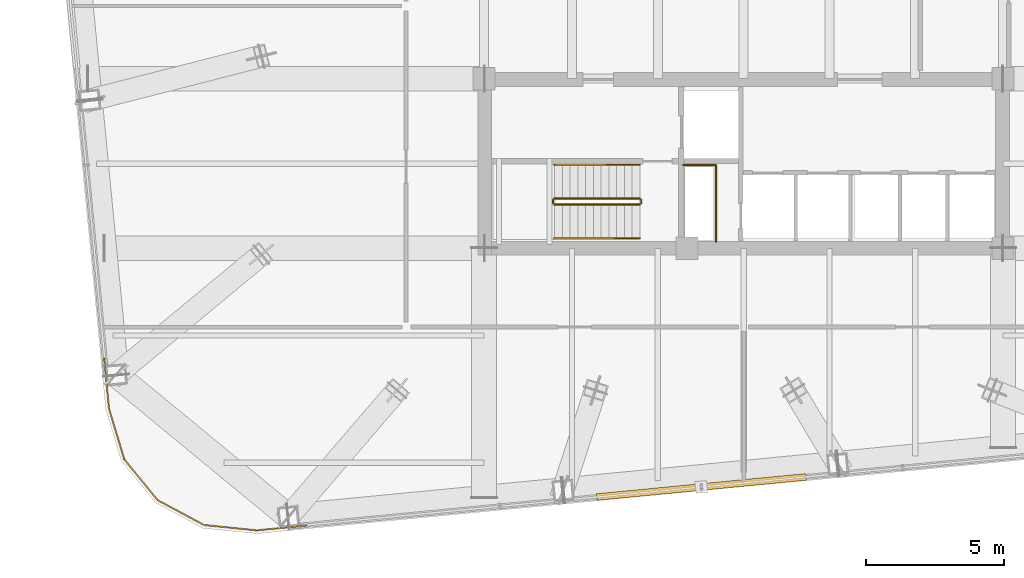
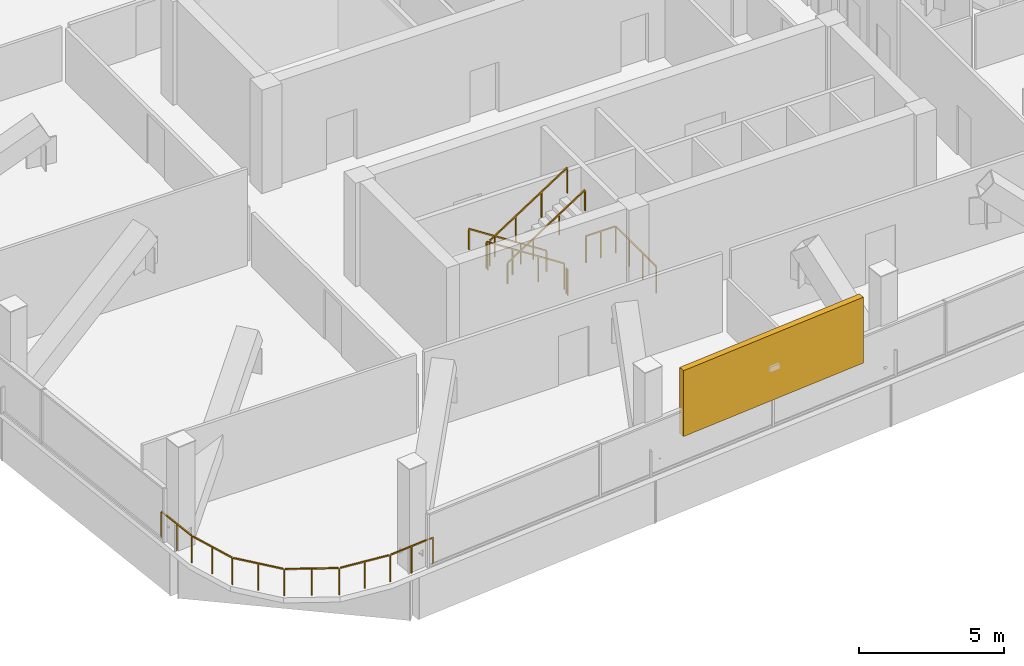
# One storey, part 19 of 22: 8 railings, 1 shading device.
"""IFC4 building model written with IfcOpenShell, lengths in metres."""

from ifc_helpers import new_model, si_unit, direction, frame, origin, origin_2d, place, context, subcontext, project, spatial, rectangle, extrude, material, type_object, element, save


model = new_model("IFC4")

# Units and contexts
model_context = context("Model", 3, precision=1e-05, world=origin(), true_north=direction((0.0, 1.0)))
body_context = subcontext(model_context, "Body", "Model", "MODEL_VIEW")
ifc_project = project(units=[si_unit("LENGTHUNIT", "METRE"), si_unit("AREAUNIT", "SQUARE_METRE"), si_unit("VOLUMEUNIT", "CUBIC_METRE"), si_unit("PLANEANGLEUNIT", "RADIAN"), si_unit("MASSUNIT", "GRAM", prefix="KILO")], contexts=[model_context])

# Site, building, storey
site_placement = place(None, origin())
site = spatial("IfcSite", under=ifc_project, at=site_placement, CompositionType="ELEMENT")
building_placement = place(site_placement, origin())
building = spatial("IfcBuilding", under=site, at=building_placement, Name="Qhalaya Broadcast Tower", CompositionType="ELEMENT")
storey_placement = place(building_placement, frame((0.0, 0.0, 183.60009765625)))
storey = spatial("IfcBuildingStorey", under=building, at=storey_placement, Name="L54", CompositionType="ELEMENT", Elevation=183.60009765625)

# Railings
ifc_material_1 = material(Name="Powder-Coated Galvanised Steel", Category="steel")
railing_type_1 = type_object("IfcRailingType", Name="Stair Wall Handrail 900", PredefinedType="HANDRAIL", material=ifc_material_1)
railing_1_placement = place(storey_placement, frame((-3.75, -5.72998046875, 0.18115234375)))
element("IfcRailing", 1, at=railing_1_placement, inside=storey, type_object=railing_type_1, Name="L54 ST-2 Stair Handrail 1", PredefinedType="HANDRAIL", context=body_context, shape_type="SweptSolid", body=[
    extrude(rectangle(XDim=0.048095703125, YDim=0.048095703125, at=origin_2d()), frame((0.0, 0.0, 0.8759765625), z_axis=(-0.839488025565, 0.0, 0.543378187759), x_axis=(0.0, -1.0, 0.0)), (0.0, 0.0, 1.0), 3.6689453125),
    extrude(rectangle(XDim=0.0419921875, YDim=0.0419921875, at=origin_2d()), origin(), (0.0, 0.0, 1.0), 0.849853515625),
    extrude(rectangle(XDim=0.0419921875, YDim=0.0419921875, at=origin_2d()), frame((-1.026611328125, 0.0, 0.66455078125)), (0.0, 0.0, 1.0), 0.849853515625),
    extrude(rectangle(XDim=0.0419921875, YDim=0.0419921875, at=origin_2d()), frame((-2.053466796875, 0.0, 1.3291015625)), (0.0, 0.0, 1.0), 0.849853515625),
    extrude(rectangle(XDim=0.0419921875, YDim=0.0419921875, at=origin_2d()), frame((-3.080078125, 0.0, 1.99365234375)), (0.0, 0.0, 1.0), 0.849853515625),
])
railing_2_placement = place(storey_placement, frame((-6.830078125, -8.389892578125, 2.356201171875)))
element("IfcRailing", 2, at=railing_2_placement, inside=storey, type_object=railing_type_1, Name="L54 ST-2 Stair Handrail 2", PredefinedType="HANDRAIL", context=body_context, shape_type="SweptSolid", body=[
    extrude(rectangle(XDim=0.048095703125, YDim=0.048095703125, at=origin_2d()), frame((0.0, 0.0, 0.8759765625), z_axis=(0.839488025565, 0.0, 0.543378187759), x_axis=(0.0, 1.0, 0.0)), (0.0, 0.0, 1.0), 3.6689453125),
    extrude(rectangle(XDim=0.0419921875, YDim=0.0419921875, at=origin_2d()), origin(), (0.0, 0.0, 1.0), 0.849853515625),
    extrude(rectangle(XDim=0.0419921875, YDim=0.0419921875, at=origin_2d()), frame((1.026611328125, 0.0, 0.66455078125)), (0.0, 0.0, 1.0), 0.849853515625),
    extrude(rectangle(XDim=0.0419921875, YDim=0.0419921875, at=origin_2d()), frame((2.053466796875, 0.0, 1.3291015625)), (0.0, 0.0, 1.0), 0.849853515625),
    extrude(rectangle(XDim=0.0419921875, YDim=0.0419921875, at=origin_2d()), frame((3.080078125, 0.0, 1.99365234375)), (0.0, 0.0, 1.0), 0.849853515625),
])
railing_type_2 = type_object("IfcRailingType", Name="Stair Well & Landing Guardrail 1100", PredefinedType="GUARDRAIL", material=ifc_material_1)
railing_3_placement = place(storey_placement, frame((-1.0, -8.52001953125, 0.0)))
element("IfcRailing", 3, at=railing_3_placement, inside=storey, type_object=railing_type_2, Name="L54 Service Riser Opening Safety Guard SRSR", PredefinedType="GUARDRAIL", context=body_context, shape_type="SweptSolid", body=[
    extrude(rectangle(XDim=0.048095703125, YDim=0.048095703125, at=origin_2d()), frame((0.0, 0.0, 1.1259765625), z_axis=(0.0, 1.0, 0.0), x_axis=(-1.0, 0.0, 0.0)), (0.0, 0.0, 1.0), 2.751220703125),
    extrude(rectangle(XDim=0.048095703125, YDim=0.048095703125, at=origin_2d()), frame((-0.02880859375, 2.780029296875, 1.1259765625), z_axis=(-1.0, 0.0, 0.0), x_axis=(0.0, -1.0, 0.0)), (0.0, 0.0, 1.0), 1.151123046875),
    extrude(rectangle(XDim=0.0419921875, YDim=0.0419921875, at=origin_2d()), origin(), (0.0, 0.0, 1.0), 1.099853515625),
    extrude(rectangle(XDim=0.0419921875, YDim=0.0419921875, at=origin_2d()), frame((0.0, 0.9267578125, 0.0)), (0.0, 0.0, 1.0), 1.099853515625),
    extrude(rectangle(XDim=0.0419921875, YDim=0.0419921875, at=origin_2d()), frame((0.0, 1.853271484375, 0.0)), (0.0, 0.0, 1.0), 1.099853515625),
    extrude(rectangle(XDim=0.0419921875, YDim=0.0419921875, at=origin_2d()), frame((0.0, 2.780029296875, 0.0)), (0.0, 0.0, 1.0), 1.099853515625),
    extrude(rectangle(XDim=0.0419921875, YDim=0.0419921875, at=origin_2d()), frame((-0.58984375, 2.780029296875, 0.0)), (0.0, 0.0, 1.0), 1.099853515625),
    extrude(rectangle(XDim=0.0419921875, YDim=0.0419921875, at=origin_2d()), frame((-1.179931640625, 2.780029296875, 0.0)), (0.0, 0.0, 1.0), 1.099853515625),
])
railing_4_placement = place(storey_placement, frame((-3.75, -6.949951171875, 0.18115234375)))
element("IfcRailing", 4, at=railing_4_placement, inside=storey, type_object=railing_type_2, Name="L54 ST-2 Stair Guard 1", PredefinedType="GUARDRAIL", context=body_context, shape_type="SweptSolid", body=[
    extrude(rectangle(XDim=0.048095703125, YDim=0.048095703125, at=origin_2d()), frame((0.0, 0.0, 1.076171875), z_axis=(-0.839488025565, 0.0, 0.543378187759), x_axis=(0.0, -1.0, 0.0)), (0.0, 0.0, 1.0), 3.6689453125),
    extrude(rectangle(XDim=0.0419921875, YDim=0.0419921875, at=origin_2d()), origin(), (0.0, 0.0, 1.0), 1.050048828125),
    extrude(rectangle(XDim=0.0419921875, YDim=0.0419921875, at=origin_2d()), frame((-1.026611328125, 0.0, 0.66455078125)), (0.0, 0.0, 1.0), 1.050048828125),
    extrude(rectangle(XDim=0.0419921875, YDim=0.0419921875, at=origin_2d()), frame((-2.053466796875, 0.0, 1.3291015625)), (0.0, 0.0, 1.0), 1.050048828125),
    extrude(rectangle(XDim=0.0419921875, YDim=0.0419921875, at=origin_2d()), frame((-3.080078125, 0.0, 1.99365234375)), (0.0, 0.0, 1.0), 1.050048828125),
])
railing_5_placement = place(storey_placement, frame((-6.8798828125, -7.0, 2.1748046875)))
element("IfcRailing", 5, at=railing_5_placement, inside=storey, type_object=railing_type_2, Name="L54 ST-2 Stair Guard 2", PredefinedType="GUARDRAIL", context=body_context, shape_type="SweptSolid", body=[
    extrude(rectangle(XDim=0.048095703125, YDim=0.048095703125, at=origin_2d()), frame((0.0, 0.0, 1.076171875), z_axis=(0.0, -1.0, 0.0), x_axis=(1.0, 0.0, 0.0)), (0.0, 0.0, 1.0), 0.1201171875),
    extrude(rectangle(XDim=0.0419921875, YDim=0.0419921875, at=origin_2d()), origin(), (0.0, 0.0, 1.0), 1.050048828125),
    extrude(rectangle(XDim=0.0419921875, YDim=0.0419921875, at=origin_2d()), frame((0.0, -0.1201171875, 0.0)), (0.0, 0.0, 1.0), 1.050048828125),
])
railing_6_placement = place(storey_placement, frame((-6.830078125, -7.169921875, 2.356201171875)))
element("IfcRailing", 6, at=railing_6_placement, inside=storey, type_object=railing_type_2, Name="L54 ST-2 Stair Guard 3", PredefinedType="GUARDRAIL", context=body_context, shape_type="SweptSolid", body=[
    extrude(rectangle(XDim=0.048095703125, YDim=0.048095703125, at=origin_2d()), frame((0.0, 0.0, 1.076171875), z_axis=(0.839488025565, 0.0, 0.543378187759), x_axis=(0.0, 1.0, 0.0)), (0.0, 0.0, 1.0), 3.6689453125),
    extrude(rectangle(XDim=0.0419921875, YDim=0.0419921875, at=origin_2d()), origin(), (0.0, 0.0, 1.0), 1.050048828125),
    extrude(rectangle(XDim=0.0419921875, YDim=0.0419921875, at=origin_2d()), frame((1.026611328125, 0.0, 0.66455078125)), (0.0, 0.0, 1.0), 1.050048828125),
    extrude(rectangle(XDim=0.0419921875, YDim=0.0419921875, at=origin_2d()), frame((2.053466796875, 0.0, 1.3291015625)), (0.0, 0.0, 1.0), 1.050048828125),
    extrude(rectangle(XDim=0.0419921875, YDim=0.0419921875, at=origin_2d()), frame((3.080078125, 0.0, 1.99365234375)), (0.0, 0.0, 1.0), 1.050048828125),
])
railing_7_placement = place(storey_placement, frame((-3.699951171875, -7.0, 0.0)))
element("IfcRailing", 7, at=railing_7_placement, inside=storey, type_object=railing_type_2, Name="L54 ST-2 Stair Guard 4", PredefinedType="GUARDRAIL", context=body_context, shape_type="SweptSolid", body=[
    extrude(rectangle(XDim=0.048095703125, YDim=0.048095703125, at=origin_2d()), frame((0.0, 0.0, 1.076171875), z_axis=(0.0, -1.0, 0.0), x_axis=(1.0, 0.0, 0.0)), (0.0, 0.0, 1.0), 0.1201171875),
    extrude(rectangle(XDim=0.0419921875, YDim=0.0419921875, at=origin_2d()), origin(), (0.0, 0.0, 1.0), 1.050048828125),
    extrude(rectangle(XDim=0.0419921875, YDim=0.0419921875, at=origin_2d()), frame((0.0, -0.1201171875, 0.0)), (0.0, 0.0, 1.0), 1.050048828125),
])
railing_type_3 = type_object("IfcRailingType", Name="Terrace, Sky-Pool & Lookout Glass Balustrade 1150", PredefinedType="BALUSTRADE", material=ifc_material_1)
railing_8_placement = place(storey_placement, frame((-15.790283203125, -18.766845703125, 0.0)))
element("IfcRailing", 8, at=railing_8_placement, inside=storey, type_object=railing_type_3, Name="L54 Rounded Corner Perimeter Guard 02", PredefinedType="BALUSTRADE", context=body_context, shape_type="SweptSolid", body=[
    extrude(rectangle(XDim=0.048095703125, YDim=0.048095703125, at=origin_2d()), frame((0.0, 0.0, 1.1259765625), z_axis=(-0.995397133929, -0.095836035844, 0.0), x_axis=(0.095836035844, -0.995397133929, 0.0)), (0.0, 0.0, 1.0), 1.77734375),
    extrude(rectangle(XDim=0.048095703125, YDim=0.048095703125, at=origin_2d()), frame((-1.82666015625, -0.170166015625, 1.1259765625), z_axis=(-0.994968808814, 0.100185175984, 0.0), x_axis=(-0.100185175984, -0.994968808814, 0.0)), (0.0, 0.0, 1.0), 1.857666015625),
    extrude(rectangle(XDim=0.048095703125, YDim=0.048095703125, at=origin_2d()), frame((-3.72900390625, 0.032470703125, 1.1259765625), z_axis=(-0.880932037714, 0.473242797018, 0.0), x_axis=(-0.473242797018, -0.880932037714, 0.0)), (0.0, 0.0, 1.0), 1.845458984375),
    extrude(rectangle(XDim=0.048095703125, YDim=0.048095703125, at=origin_2d()), frame((-5.3984375, 0.94189453125, 1.1259765625), z_axis=(-0.632671796541, 0.774420039683, 0.0), x_axis=(-0.774420039683, -0.632671796541, 0.0)), (0.0, 0.0, 1.0), 1.845458984375),
    extrude(rectangle(XDim=0.048095703125, YDim=0.048095703125, at=origin_2d()), frame((-6.592529296875, 2.4208984375, 1.1259765625), z_axis=(-0.288213171456, 0.95756627332, 0.0), x_axis=(-0.95756627332, -0.288213171456, 0.0)), (0.0, 0.0, 1.0), 1.857421875),
    extrude(rectangle(XDim=0.048095703125, YDim=0.048095703125, at=origin_2d()), frame((-7.138916015625, 4.256103515625, 1.1259765625), z_axis=(-0.095836035844, 0.995397133929, 0.0), x_axis=(-0.995397133929, -0.095836035844, 0.0)), (0.0, 0.0, 1.0), 1.77734375),
    extrude(rectangle(XDim=0.0419921875, YDim=0.0419921875, at=origin_2d()), origin(), (0.0, 0.0, 1.0), 1.099853515625),
    extrude(rectangle(XDim=0.0419921875, YDim=0.0419921875, at=origin_2d()), frame((-0.89892578125, -0.08642578125, 0.0)), (0.0, 0.0, 1.0), 1.099853515625),
    extrude(rectangle(XDim=0.0419921875, YDim=0.0419921875, at=origin_2d()), frame((-1.7978515625, -0.173095703125, 0.0)), (0.0, 0.0, 1.0), 1.099853515625),
    extrude(rectangle(XDim=0.0419921875, YDim=0.0419921875, at=origin_2d()), frame((-2.750732421875, -0.0771484375, 0.0)), (0.0, 0.0, 1.0), 1.099853515625),
    extrude(rectangle(XDim=0.0419921875, YDim=0.0419921875, at=origin_2d()), frame((-3.70361328125, 0.018798828125, 0.0)), (0.0, 0.0, 1.0), 1.099853515625),
    extrude(rectangle(XDim=0.0419921875, YDim=0.0419921875, at=origin_2d()), frame((-4.5419921875, 0.46923828125, 0.0)), (0.0, 0.0, 1.0), 1.099853515625),
    extrude(rectangle(XDim=0.0419921875, YDim=0.0419921875, at=origin_2d()), frame((-5.380126953125, 0.91943359375, 0.0)), (0.0, 0.0, 1.0), 1.099853515625),
    extrude(rectangle(XDim=0.0419921875, YDim=0.0419921875, at=origin_2d()), frame((-5.982177734375, 1.65625, 0.0)), (0.0, 0.0, 1.0), 1.099853515625),
    extrude(rectangle(XDim=0.0419921875, YDim=0.0419921875, at=origin_2d()), frame((-6.584228515625, 2.393310546875, 0.0)), (0.0, 0.0, 1.0), 1.099853515625),
    extrude(rectangle(XDim=0.0419921875, YDim=0.0419921875, at=origin_2d()), frame((-6.8603515625, 3.310302734375, 0.0)), (0.0, 0.0, 1.0), 1.099853515625),
    extrude(rectangle(XDim=0.0419921875, YDim=0.0419921875, at=origin_2d()), frame((-7.13623046875, 4.227294921875, 0.0)), (0.0, 0.0, 1.0), 1.099853515625),
    extrude(rectangle(XDim=0.0419921875, YDim=0.0419921875, at=origin_2d()), frame((-7.22265625, 5.126220703125, 0.0)), (0.0, 0.0, 1.0), 1.099853515625),
    extrude(rectangle(XDim=0.0419921875, YDim=0.0419921875, at=origin_2d()), frame((-7.309326171875, 6.025146484375, 0.0)), (0.0, 0.0, 1.0), 1.099853515625),
])

# Shading device
ifc_material_2 = material(Name="Fired Architectural Terracotta", Category="masonry")
shading_device_type = type_object("IfcShadingDeviceType", Name="Terracotta Baguette Solar Screen Assembly TBS-01", PredefinedType="USERDEFINED", material=ifc_material_2)
shading_device_placement = place(storey_placement, frame((-1.5263671875, -17.373291015625, 1.13916015625), z_axis=(0.0, 0.0, 1.0), x_axis=(0.995396198367, 0.09584575252, 0.0)))
element("IfcShadingDevice", 9, at=shading_device_placement, inside=storey, type_object=shading_device_type, Name="L54 Fired Terracotta Baguette Screen S", ObjectType="BAGUETTE", PredefinedType="USERDEFINED", context=body_context, shape_type="SweptSolid", body=[
    extrude(rectangle(XDim=7.60009765625, YDim=0.239990234375, at=origin_2d()), origin(), (0.0, 0.0, 1.0), 2.76806640625),
])

save(model, "model.ifc")
